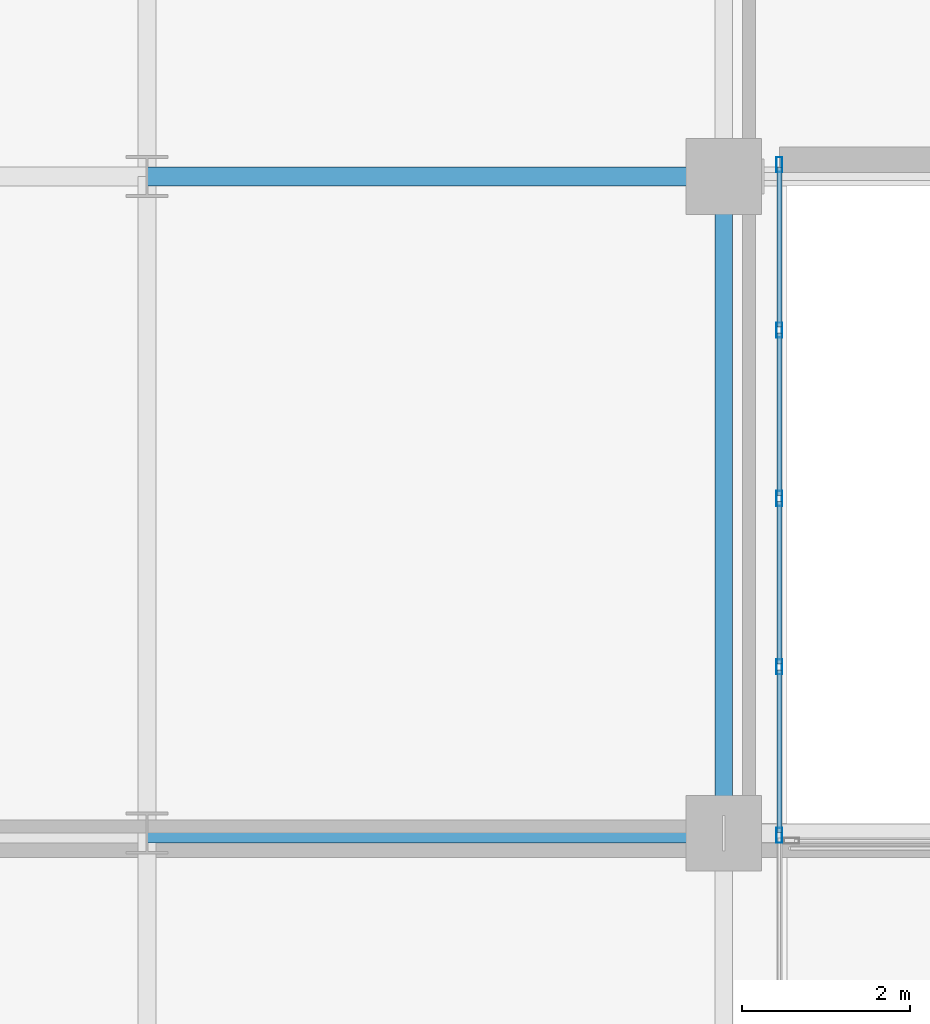
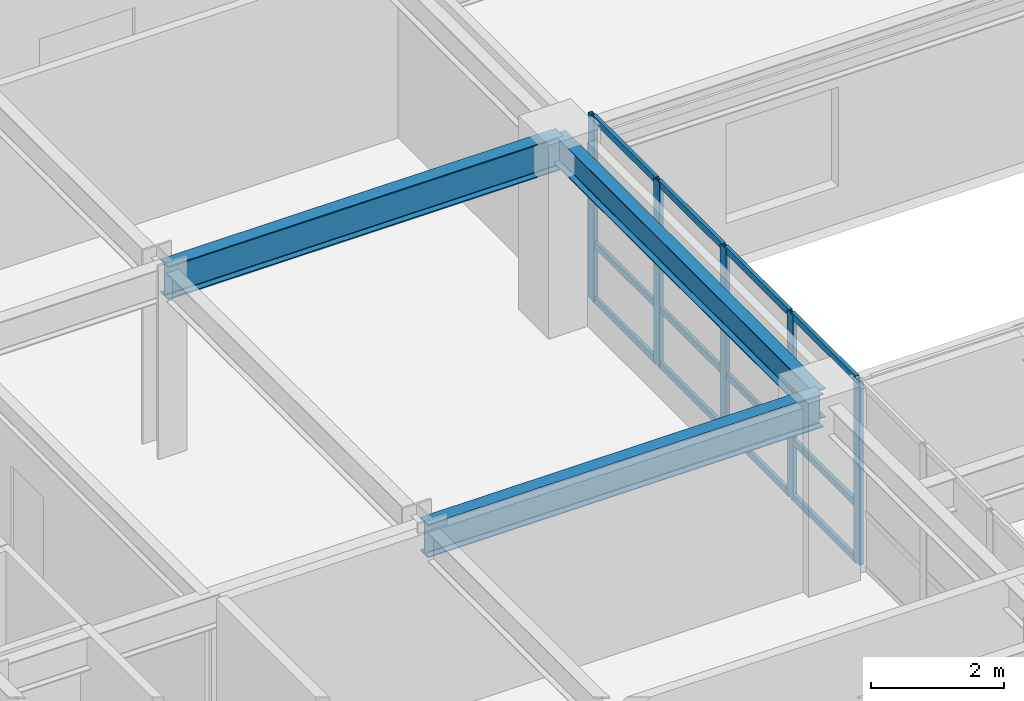
# One storey, part 3 of 25: 17 members, 3 beams, 1 element without a shape of its own.
"""IFC4 building model written with IfcOpenShell, lengths in metres."""

from ifc_helpers import new_model, si_unit, direction, frame, origin, origin_2d, place, context, subcontext, project, spatial, hollow_rectangle, i_section, extrude, source, transform, mapped, material, layer, layer_set, material_profile, profile_set, type_object, type_shapes, element, aggregate, save


model = new_model("IFC4")

# Units and contexts
model_context = context("Model", 3, precision=1e-05, world=origin(), true_north=direction((0.0, 1.0)))
body_context = subcontext(model_context, "Body", "Model", "MODEL_VIEW")
ifc_project = project(units=[si_unit("LENGTHUNIT", "METRE"), si_unit("AREAUNIT", "SQUARE_METRE"), si_unit("VOLUMEUNIT", "CUBIC_METRE"), si_unit("PLANEANGLEUNIT", "RADIAN"), si_unit("MASSUNIT", "GRAM", prefix="KILO")], contexts=[model_context])

# Site, building, storey
site_placement = place(None, origin())
site = spatial("IfcSite", under=ifc_project, at=site_placement, CompositionType="ELEMENT")
building_placement = place(site_placement, origin())
building = spatial("IfcBuilding", under=site, at=building_placement, Name="Tolvann Quenvar Hotel", CompositionType="ELEMENT")
storey_placement = place(building_placement, frame((0.0, 0.0, 122.199951171875)))
storey = spatial("IfcBuildingStorey", under=building, at=storey_placement, Name="L31", CompositionType="ELEMENT", Elevation=122.199951171875)

# Beams
ifc_material_1 = material(Name="Steel Grade 350", Category="steel")
ifc_material_profile_1 = material_profile(ifc_material_1, i_section(OverallWidth=0.22900390625, OverallDepth=0.612060546875, WebThickness=0.011962890625, FlangeThickness=0.01953125, FilletRadius=0.013916015625, at=origin_2d()), Name="610UB125")
ifc_profile_set_1 = profile_set([ifc_material_profile_1], Name="Steel Grade 350")
beam_type_1 = type_object("IfcBeamType", Name="BM_GIRD_610UB125", PredefinedType="BEAM", material=ifc_profile_set_1)
shared_shape_1 = source(origin(), body_context, "Body", "SweptSolid", [
    extrude(i_section(OverallWidth=0.22900390625, OverallDepth=0.612060546875, WebThickness=0.011962890625, FlangeThickness=0.01953125, FilletRadius=0.013916015625, at=origin_2d()), origin(), (0.0, 0.0, 1.0), 6.85009765625),
])
type_shapes(beam_type_1, [shared_shape_1])
for number, where, z_axis, x_axis, name in (
    (1, (15.199951171875, 8.199951171875, 3.06396484375), (1.0, 0.0, 0.0), (0.0, 1.0, 0.0), "BM-L31-EW-3-D3-E3"),
    (2, (15.199951171875, 16.0, 3.06396484375), (1.0, 0.0, 0.0), (0.0, 1.0, 0.0), "BM-L31-EW-4-D4-E4"),
):
    element("IfcBeam", number, at=place(storey_placement, frame(where, z_axis=z_axis, x_axis=x_axis)), inside=storey, type_object=beam_type_1, Name=name, PredefinedType="BEAM", context=body_context, shape_type="MappedRepresentation", body=[
        mapped(shared_shape_1, transform((0.0, 0.0, 0.0), x_axis=(1.0, 0.0, 0.0), y_axis=(0.0, 1.0, 0.0), z_axis=(0.0, 0.0, 1.0), scale=1.0)),
    ])
ifc_material_profile_2 = material_profile(ifc_material_1, i_section(OverallWidth=0.208984375, OverallDepth=0.532958984375, WebThickness=0.01025390625, FlangeThickness=0.015625, FilletRadius=0.013916015625, at=origin_2d()), Name="530UB92")
ifc_profile_set_2 = profile_set([ifc_material_profile_2], Name="Steel Grade 350")
beam_type_2 = type_object("IfcBeamType", Name="BM_GIRD_530UB92", PredefinedType="BEAM", material=ifc_profile_set_2)
shared_shape_2 = source(origin(), body_context, "Body", "SweptSolid", [
    extrude(i_section(OverallWidth=0.208984375, OverallDepth=0.532958984375, WebThickness=0.01025390625, FlangeThickness=0.015625, FilletRadius=0.013916015625, at=origin_2d()), origin(), (0.0, 0.0, 1.0), 7.800048828125),
])
type_shapes(beam_type_2, [shared_shape_2])
beam_placement = place(storey_placement, frame((22.050048828125, 8.199951171875, 3.103515625), z_axis=(0.0, 1.0, 0.0), x_axis=(-1.0, 0.0, 0.0)))
element("IfcBeam", 3, at=beam_placement, inside=storey, type_object=beam_type_2, Name="BM-L31-NS-E3-E4", PredefinedType="BEAM", context=body_context, shape_type="MappedRepresentation", body=[
    mapped(shared_shape_2, transform((0.0, 0.0, 0.0), x_axis=(1.0, 0.0, 0.0), y_axis=(0.0, 1.0, 0.0), z_axis=(0.0, 0.0, 1.0), scale=1.0)),
])

# Curtain wall, members
ifc_material_2 = material(Name="Thermally broken anodised architectural aluminium 6063-T6 and laminated low-E glass", Category="aluminium")
ifc_layer = layer(ifc_material_2, 0.179931640625)
ifc_layer_set = layer_set([ifc_layer], Name="Thermally broken anodised architectural aluminium 6063-T6 and laminated low-E glass")
curtain_wall_type = type_object("IfcCurtainWallType", Name="CW_SYS_SLOT_03", PredefinedType="USERDEFINED", material=ifc_layer_set)
curtain_wall_placement = place(storey_placement, origin())
curtain_wall = element("IfcCurtainWall", 4, at=curtain_wall_placement, inside=storey, type_object=curtain_wall_type, Name="Curtain Wall CW-SLOT-03 (CWR-L31-E05)", ObjectType="UNITISED CURTAIN WALL", PredefinedType="USERDEFINED")
ifc_material_3 = material(Name="Anodised architectural aluminium 6063-T6 framing", Category="aluminium")
ifc_material_profile_3 = material_profile(ifc_material_3, hollow_rectangle(XDim=0.070068359375, YDim=0.179931640625, WallThickness=0.00390625, at=origin_2d()), Name="180x70x4RHS")
ifc_profile_set_3 = profile_set([ifc_material_profile_3], Name="Anodised architectural aluminium 6063-T6 framing")
member_type_1 = type_object("IfcMemberType", Name="CW_MULL_180x70", PredefinedType="MULLION", material=ifc_profile_set_3)
shared_shape_3 = source(origin(), body_context, "Body", "SweptSolid", [
    extrude(hollow_rectangle(XDim=0.070068359375, YDim=0.179931640625, WallThickness=0.00390625, at=origin_2d()), origin(), (0.0, 0.0, 1.0), 3.3701171875),
])
type_shapes(member_type_1, [shared_shape_3])
member_1_placement = place(storey_placement, frame((22.7099609375, 8.175048828125, 0.0), z_axis=(0.0, 0.0, 1.0), x_axis=(-1.0, 0.0, 0.0)))
member_1 = element("IfcMember", 5, at=member_1_placement, type_object=member_type_1, Name="CW-SLOT-03 mullion 5", PredefinedType="MULLION", context=body_context, shape_type="MappedRepresentation", body=[
    mapped(shared_shape_3, transform((0.0, 0.0, 0.0), x_axis=(1.0, 0.0, 0.0), y_axis=(0.0, 1.0, 0.0), z_axis=(0.0, 0.0, 1.0), scale=1.0)),
])
member_2_placement = place(storey_placement, frame((22.7099609375, 10.175048828125, 0.0), z_axis=(0.0, 0.0, 1.0), x_axis=(-1.0, 0.0, 0.0)))
member_2 = element("IfcMember", 6, at=member_2_placement, type_object=member_type_1, Name="CW-SLOT-03 mullion 6", PredefinedType="MULLION", context=body_context, shape_type="MappedRepresentation", body=[
    mapped(shared_shape_3, transform((0.0, 0.0, 0.0), x_axis=(1.0, 0.0, 0.0), y_axis=(0.0, 1.0, 0.0), z_axis=(0.0, 0.0, 1.0), scale=1.0)),
])
member_3_placement = place(storey_placement, frame((22.7099609375, 12.175048828125, 0.0), z_axis=(0.0, 0.0, 1.0), x_axis=(-1.0, 0.0, 0.0)))
member_3 = element("IfcMember", 7, at=member_3_placement, type_object=member_type_1, Name="CW-SLOT-03 mullion 7", PredefinedType="MULLION", context=body_context, shape_type="MappedRepresentation", body=[
    mapped(shared_shape_3, transform((0.0, 0.0, 0.0), x_axis=(1.0, 0.0, 0.0), y_axis=(0.0, 1.0, 0.0), z_axis=(0.0, 0.0, 1.0), scale=1.0)),
])
member_4_placement = place(storey_placement, frame((22.7099609375, 14.175048828125, 0.0), z_axis=(0.0, 0.0, 1.0), x_axis=(-1.0, 0.0, 0.0)))
member_4 = element("IfcMember", 8, at=member_4_placement, type_object=member_type_1, Name="CW-SLOT-03 mullion 8", PredefinedType="MULLION", context=body_context, shape_type="MappedRepresentation", body=[
    mapped(shared_shape_3, transform((0.0, 0.0, 0.0), x_axis=(1.0, 0.0, 0.0), y_axis=(0.0, 1.0, 0.0), z_axis=(0.0, 0.0, 1.0), scale=1.0)),
])
member_5_placement = place(storey_placement, frame((22.7099609375, 16.139892578125, 0.0), z_axis=(0.0, 0.0, 1.0), x_axis=(-1.0, 0.0, 0.0)))
member_5 = element("IfcMember", 9, at=member_5_placement, type_object=member_type_1, Name="CW-SLOT-03 mullion 9", PredefinedType="MULLION", context=body_context, shape_type="MappedRepresentation", body=[
    mapped(shared_shape_3, transform((0.0, 0.0, 0.0), x_axis=(1.0, 0.0, 0.0), y_axis=(0.0, 1.0, 0.0), z_axis=(0.0, 0.0, 1.0), scale=1.0)),
])
ifc_material_profile_4 = material_profile(ifc_material_3, hollow_rectangle(XDim=0.06005859375, YDim=0.1201171875, WallThickness=0.00341796875, at=origin_2d()), Name="120x60x3.5RHS")
ifc_profile_set_4 = profile_set([ifc_material_profile_4], Name="Anodised architectural aluminium 6063-T6 framing")
member_type_2 = type_object("IfcMemberType", Name="CW_TRAN_120x60", PredefinedType="USERDEFINED", material=ifc_profile_set_4)
shared_shape_4 = source(origin(), body_context, "Body", "SweptSolid", [
    extrude(hollow_rectangle(XDim=0.06005859375, YDim=0.1201171875, WallThickness=0.00341796875, at=origin_2d()), origin(), (0.0, 0.0, 1.0), 1.929931640625),
])
member_6_placement = place(storey_placement, frame((22.7099609375, 8.2099609375, 0.030029296875), z_axis=(0.0, 1.0, 0.0), x_axis=(-1.0, 0.0, 0.0)))
member_6 = element("IfcMember", 10, at=member_6_placement, type_object=member_type_2, Name="CW-SLOT-03 transom 5.1", ObjectType="TRANSOM", PredefinedType="USERDEFINED", context=body_context, shape_type="MappedRepresentation", body=[
    mapped(shared_shape_4, transform((0.0, 0.0, 0.0), x_axis=(1.0, 0.0, 0.0), y_axis=(0.0, 1.0, 0.0), z_axis=(0.0, 0.0, 1.0), scale=1.0)),
])
member_7_placement = place(storey_placement, frame((22.7099609375, 8.2099609375, 1.050048828125), z_axis=(0.0, 1.0, 0.0), x_axis=(-1.0, 0.0, 0.0)))
member_7 = element("IfcMember", 11, at=member_7_placement, type_object=member_type_2, Name="CW-SLOT-03 transom 5.2", ObjectType="TRANSOM", PredefinedType="USERDEFINED", context=body_context, shape_type="MappedRepresentation", body=[
    mapped(shared_shape_4, transform((0.0, 0.0, 0.0), x_axis=(1.0, 0.0, 0.0), y_axis=(0.0, 1.0, 0.0), z_axis=(0.0, 0.0, 1.0), scale=1.0)),
])
member_8_placement = place(storey_placement, frame((22.7099609375, 8.2099609375, 3.340087890625), z_axis=(0.0, 1.0, 0.0), x_axis=(-1.0, 0.0, 0.0)))
member_8 = element("IfcMember", 12, at=member_8_placement, type_object=member_type_2, Name="CW-SLOT-03 transom 5.3", ObjectType="TRANSOM", PredefinedType="USERDEFINED", context=body_context, shape_type="MappedRepresentation", body=[
    mapped(shared_shape_4, transform((0.0, 0.0, 0.0), x_axis=(1.0, 0.0, 0.0), y_axis=(0.0, 1.0, 0.0), z_axis=(0.0, 0.0, 1.0), scale=1.0)),
])
member_9_placement = place(storey_placement, frame((22.7099609375, 10.2099609375, 0.030029296875), z_axis=(0.0, 1.0, 0.0), x_axis=(-1.0, 0.0, 0.0)))
member_9 = element("IfcMember", 13, at=member_9_placement, type_object=member_type_2, Name="CW-SLOT-03 transom 6.1", ObjectType="TRANSOM", PredefinedType="USERDEFINED", context=body_context, shape_type="MappedRepresentation", body=[
    mapped(shared_shape_4, transform((0.0, 0.0, 0.0), x_axis=(1.0, 0.0, 0.0), y_axis=(0.0, 1.0, 0.0), z_axis=(0.0, 0.0, 1.0), scale=1.0)),
])
member_10_placement = place(storey_placement, frame((22.7099609375, 10.2099609375, 1.050048828125), z_axis=(0.0, 1.0, 0.0), x_axis=(-1.0, 0.0, 0.0)))
member_10 = element("IfcMember", 14, at=member_10_placement, type_object=member_type_2, Name="CW-SLOT-03 transom 6.2", ObjectType="TRANSOM", PredefinedType="USERDEFINED", context=body_context, shape_type="MappedRepresentation", body=[
    mapped(shared_shape_4, transform((0.0, 0.0, 0.0), x_axis=(1.0, 0.0, 0.0), y_axis=(0.0, 1.0, 0.0), z_axis=(0.0, 0.0, 1.0), scale=1.0)),
])
member_11_placement = place(storey_placement, frame((22.7099609375, 10.2099609375, 3.340087890625), z_axis=(0.0, 1.0, 0.0), x_axis=(-1.0, 0.0, 0.0)))
member_11 = element("IfcMember", 15, at=member_11_placement, type_object=member_type_2, Name="CW-SLOT-03 transom 6.3", ObjectType="TRANSOM", PredefinedType="USERDEFINED", context=body_context, shape_type="MappedRepresentation", body=[
    mapped(shared_shape_4, transform((0.0, 0.0, 0.0), x_axis=(1.0, 0.0, 0.0), y_axis=(0.0, 1.0, 0.0), z_axis=(0.0, 0.0, 1.0), scale=1.0)),
])
member_12_placement = place(storey_placement, frame((22.7099609375, 12.2099609375, 0.030029296875), z_axis=(0.0, 1.0, 0.0), x_axis=(-1.0, 0.0, 0.0)))
member_12 = element("IfcMember", 16, at=member_12_placement, type_object=member_type_2, Name="CW-SLOT-03 transom 7.1", ObjectType="TRANSOM", PredefinedType="USERDEFINED", context=body_context, shape_type="MappedRepresentation", body=[
    mapped(shared_shape_4, transform((0.0, 0.0, 0.0), x_axis=(1.0, 0.0, 0.0), y_axis=(0.0, 1.0, 0.0), z_axis=(0.0, 0.0, 1.0), scale=1.0)),
])
member_13_placement = place(storey_placement, frame((22.7099609375, 12.2099609375, 1.050048828125), z_axis=(0.0, 1.0, 0.0), x_axis=(-1.0, 0.0, 0.0)))
member_13 = element("IfcMember", 17, at=member_13_placement, type_object=member_type_2, Name="CW-SLOT-03 transom 7.2", ObjectType="TRANSOM", PredefinedType="USERDEFINED", context=body_context, shape_type="MappedRepresentation", body=[
    mapped(shared_shape_4, transform((0.0, 0.0, 0.0), x_axis=(1.0, 0.0, 0.0), y_axis=(0.0, 1.0, 0.0), z_axis=(0.0, 0.0, 1.0), scale=1.0)),
])
member_14_placement = place(storey_placement, frame((22.7099609375, 12.2099609375, 3.340087890625), z_axis=(0.0, 1.0, 0.0), x_axis=(-1.0, 0.0, 0.0)))
member_14 = element("IfcMember", 18, at=member_14_placement, type_object=member_type_2, Name="CW-SLOT-03 transom 7.3", ObjectType="TRANSOM", PredefinedType="USERDEFINED", context=body_context, shape_type="MappedRepresentation", body=[
    mapped(shared_shape_4, transform((0.0, 0.0, 0.0), x_axis=(1.0, 0.0, 0.0), y_axis=(0.0, 1.0, 0.0), z_axis=(0.0, 0.0, 1.0), scale=1.0)),
])
shared_shape_5 = source(origin(), body_context, "Body", "SweptSolid", [
    extrude(hollow_rectangle(XDim=0.06005859375, YDim=0.1201171875, WallThickness=0.00341796875, at=origin_2d()), origin(), (0.0, 0.0, 1.0), 1.89501953125),
])
type_shapes(member_type_2, [shared_shape_4, shared_shape_5])
member_15_placement = place(storey_placement, frame((22.7099609375, 14.2099609375, 0.030029296875), z_axis=(0.0, 1.0, 0.0), x_axis=(-1.0, 0.0, 0.0)))
member_15 = element("IfcMember", 19, at=member_15_placement, type_object=member_type_2, Name="CW-SLOT-03 transom 8.1", ObjectType="TRANSOM", PredefinedType="USERDEFINED", context=body_context, shape_type="MappedRepresentation", body=[
    mapped(shared_shape_5, transform((0.0, 0.0, 0.0), x_axis=(1.0, 0.0, 0.0), y_axis=(0.0, 1.0, 0.0), z_axis=(0.0, 0.0, 1.0), scale=1.0)),
])
member_16_placement = place(storey_placement, frame((22.7099609375, 14.2099609375, 1.050048828125), z_axis=(0.0, 1.0, 0.0), x_axis=(-1.0, 0.0, 0.0)))
member_16 = element("IfcMember", 20, at=member_16_placement, type_object=member_type_2, Name="CW-SLOT-03 transom 8.2", ObjectType="TRANSOM", PredefinedType="USERDEFINED", context=body_context, shape_type="MappedRepresentation", body=[
    mapped(shared_shape_5, transform((0.0, 0.0, 0.0), x_axis=(1.0, 0.0, 0.0), y_axis=(0.0, 1.0, 0.0), z_axis=(0.0, 0.0, 1.0), scale=1.0)),
])
member_17_placement = place(storey_placement, frame((22.7099609375, 14.2099609375, 3.340087890625), z_axis=(0.0, 1.0, 0.0), x_axis=(-1.0, 0.0, 0.0)))
member_17 = element("IfcMember", 21, at=member_17_placement, type_object=member_type_2, Name="CW-SLOT-03 transom 8.3", ObjectType="TRANSOM", PredefinedType="USERDEFINED", context=body_context, shape_type="MappedRepresentation", body=[
    mapped(shared_shape_5, transform((0.0, 0.0, 0.0), x_axis=(1.0, 0.0, 0.0), y_axis=(0.0, 1.0, 0.0), z_axis=(0.0, 0.0, 1.0), scale=1.0)),
])
aggregate(curtain_wall, [member_1, member_2, member_3, member_4, member_5, member_6, member_7, member_8, member_9, member_10, member_11, member_12, member_13, member_14, member_15, member_16, member_17])

save(model, "model.ifc")
